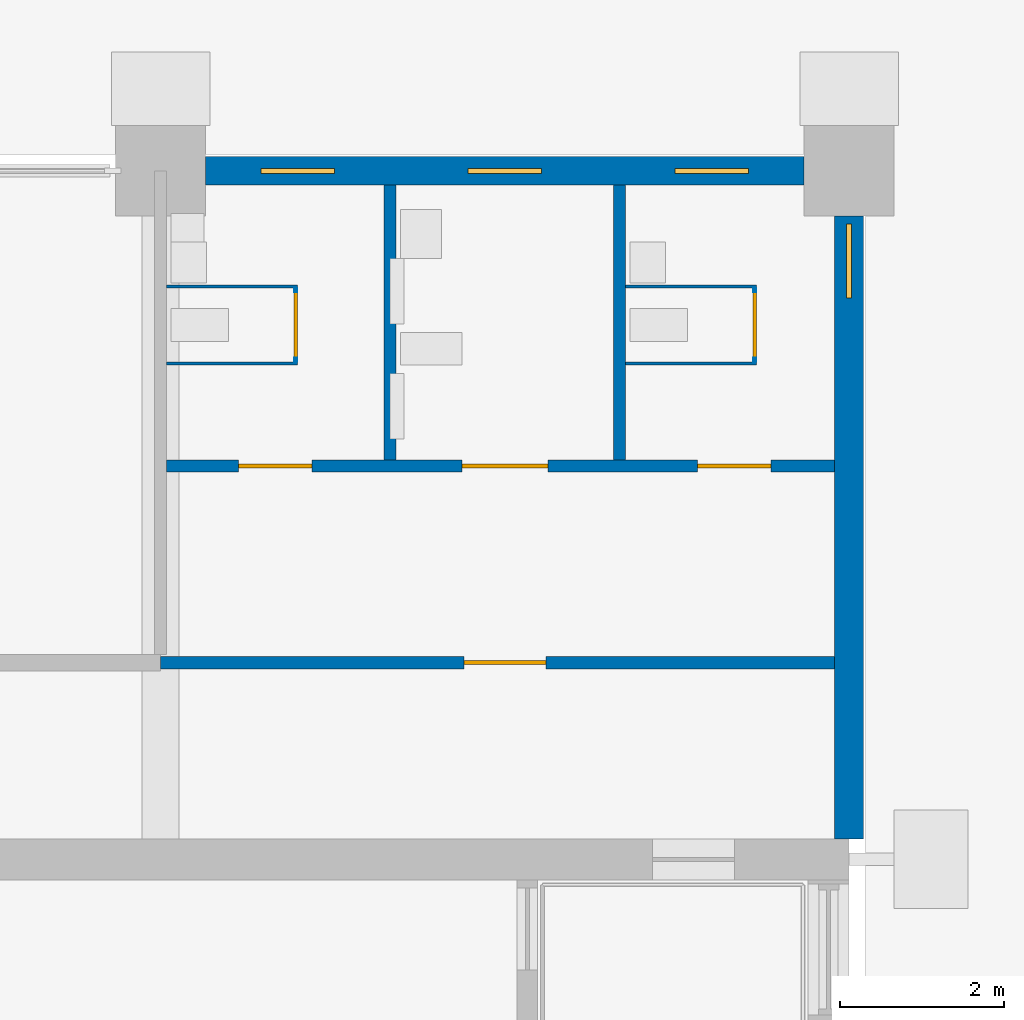
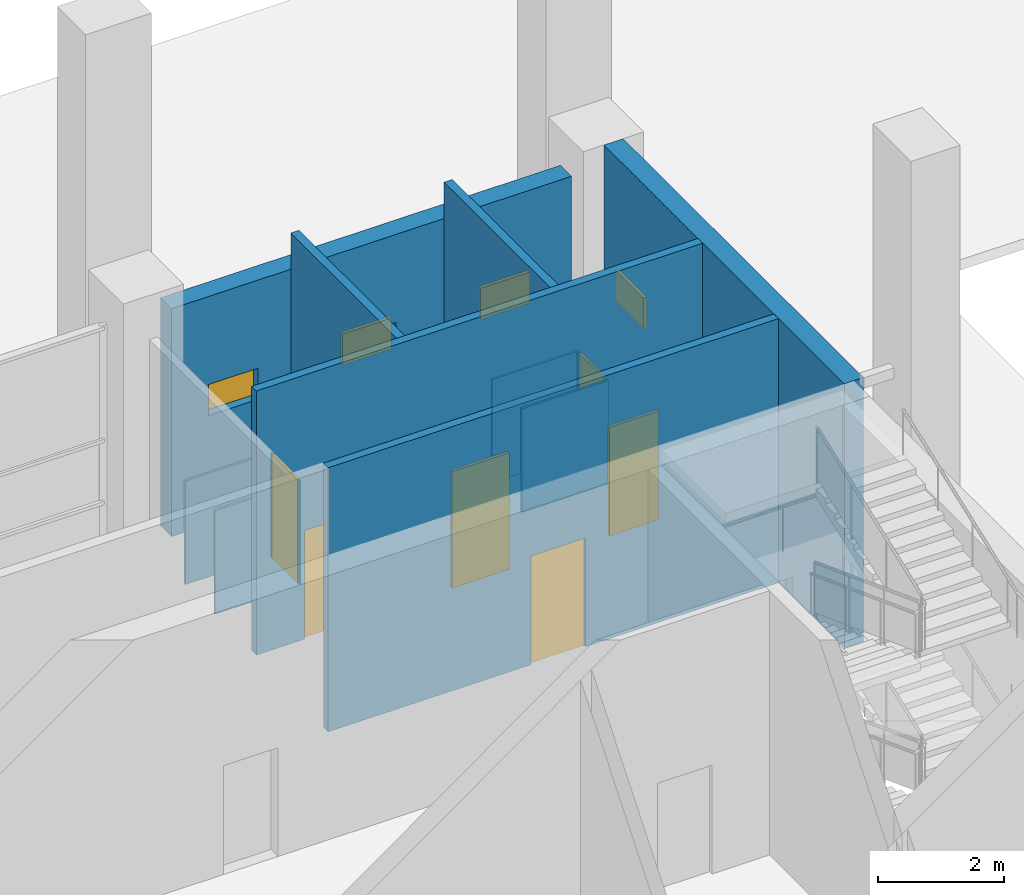
# One storey, part 40 of 74: 12 walls, 6 doors, 4 windows, 10 openings.
"""IFC4 building model written with IfcOpenShell, lengths in metres."""

from ifc_helpers import new_model, si_unit, direction, frame, frame_2d, origin, place, context, subcontext, project, spatial, rectangle, extrude, material, layer, layer_set, type_object, element, fill, save


model = new_model("IFC4")

# Units and contexts
model_context = context("Model", 3, precision=1e-05, world=origin(), true_north=direction((0.0, 1.0)))
body_context = subcontext(model_context, "Body", "Model", "MODEL_VIEW")
ifc_project = project(units=[si_unit("LENGTHUNIT", "METRE"), si_unit("AREAUNIT", "SQUARE_METRE"), si_unit("VOLUMEUNIT", "CUBIC_METRE"), si_unit("PLANEANGLEUNIT", "RADIAN"), si_unit("MASSUNIT", "GRAM", prefix="KILO")], contexts=[model_context])

# Site, building, storey
site_placement = place(None, origin())
site = spatial("IfcSite", under=ifc_project, at=site_placement, CompositionType="ELEMENT")
building_placement = place(site_placement, origin())
building = spatial("IfcBuilding", under=site, at=building_placement, Name="Rulbaag Community and Learning Centre", CompositionType="ELEMENT")
storey_placement = place(building_placement, origin())
storey = spatial("IfcBuildingStorey", under=building, at=storey_placement, Name="L00", CompositionType="ELEMENT", Elevation=0.0)

# Walls
ifc_material_1 = material(Name="High pressure laminate", Category="wood")
ifc_layer_1 = layer(ifc_material_1, 0.0400390625)
ifc_layer_set_1 = layer_set([ifc_layer_1], Name="CP-40")
wall_type_1 = type_object("IfcWallType", Name="CP-40", PredefinedType="PARTITIONING", material=ifc_layer_set_1)
for number, where, z_axis, x_axis, name in (
    (1, (159.675048828125, 115.25, 0.0), (0.0, 0.0, 1.0), (1.0, 0.0, 0.0), "Cubicle partition"),
    (2, (159.675048828125, 116.18994140625, 0.0), (0.0, 0.0, 1.0), (1.0, 0.0, 0.0), "Cubicle partition"),
):
    element("IfcWall", number, at=place(storey_placement, frame(where, z_axis=z_axis, x_axis=x_axis)), inside=storey, type_object=wall_type_1, Name=name, PredefinedType="PARTITIONING", context=body_context, shape_type="SweptSolid", body=[
        extrude(rectangle(XDim=1.594970703125, YDim=0.0400390625, at=frame_2d((0.79736328125, 0.0))), origin(), (0.0, 0.0, 1.0), 2.0),
    ])

# Wall, opening, door
wall_1_placement = place(storey_placement, frame((161.25, 115.27001953125, 0.0), z_axis=(0.0, 0.0, 1.0), x_axis=(0.0, 1.0, 0.0)))
wall_1 = element("IfcWall", 3, at=wall_1_placement, inside=storey, type_object=wall_type_1, Name="Cubicle partition", PredefinedType="PARTITIONING", context=body_context, shape_type="SweptSolid", body=[
    extrude(rectangle(XDim=0.89990234375, YDim=0.0400390625, at=frame_2d((0.449951171875, 0.0))), origin(), (0.0, 0.0, 1.0), 2.0),
])
opening_1_placement = place(wall_1_placement, frame((0.050048828125, 0.0, 0.0)))
opening_1 = element("IfcOpeningElement", 4, at=opening_1_placement, cuts=wall_1, Name="Opening L00-D178", PredefinedType="OPENING", context=body_context, shape_type="SweptSolid", body=[
    extrude(rectangle(XDim=0.800048828125, YDim=2.0, at=frame_2d((0.39990234375, 1.0))), frame((0.0, 0.030029296875, 0.0), z_axis=(0.0, -1.0, 0.0), x_axis=(1.0, 0.0, 0.0)), (0.0, 0.0, 1.0), 0.06005859375),
])
door_type_1 = type_object("IfcDoorType", Name="DC-80", OperationType="SINGLE_SWING_LEFT", PredefinedType="DOOR", material=ifc_material_1)
door_1_placement = place(opening_1_placement, origin())
door_1 = element("IfcDoor", 5, at=door_1_placement, inside=storey, type_object=door_type_1, Name="Cubicle door", OperationType="SINGLE_SWING_LEFT", OverallHeight=2.0, OverallWidth=0.800048828125, PredefinedType="DOOR", context=body_context, shape_type="SweptSolid", body=[
    extrude(rectangle(XDim=0.800048828125, YDim=2.0, at=frame_2d((0.39990234375, 1.0))), frame((0.0, 0.019775390625, 0.0), z_axis=(0.0, -1.0, 0.0), x_axis=(1.0, 0.0, 0.0)), (0.0, 0.0, 1.0), 0.03955078125),
])
fill(opening_1, door_1)

# Walls
for number, where, z_axis, x_axis, name in (
    (6, (165.27490234375, 115.25, 0.0), (0.0, 0.0, 1.0), (1.0, 0.0, 0.0), "Cubicle partition"),
    (7, (165.27490234375, 116.18994140625, 0.0), (0.0, 0.0, 1.0), (1.0, 0.0, 0.0), "Cubicle partition"),
):
    element("IfcWall", number, at=place(storey_placement, frame(where, z_axis=z_axis, x_axis=x_axis)), inside=storey, type_object=wall_type_1, Name=name, PredefinedType="PARTITIONING", context=body_context, shape_type="SweptSolid", body=[
        extrude(rectangle(XDim=1.59521484375, YDim=0.0400390625, at=frame_2d((0.797607421875, 0.0))), origin(), (0.0, 0.0, 1.0), 2.0),
    ])

# Wall, opening, door
wall_2_placement = place(storey_placement, frame((166.85009765625, 115.27001953125, 0.0), z_axis=(0.0, 0.0, 1.0), x_axis=(0.0, 1.0, 0.0)))
wall_2 = element("IfcWall", 8, at=wall_2_placement, inside=storey, type_object=wall_type_1, Name="Cubicle partition", PredefinedType="PARTITIONING", context=body_context, shape_type="SweptSolid", body=[
    extrude(rectangle(XDim=0.89990234375, YDim=0.0400390625, at=frame_2d((0.449951171875, 0.0))), origin(), (0.0, 0.0, 1.0), 2.0),
])
opening_2_placement = place(wall_2_placement, frame((0.050048828125, 0.0, 0.0)))
opening_2 = element("IfcOpeningElement", 9, at=opening_2_placement, cuts=wall_2, Name="Opening L00-D200", PredefinedType="OPENING", context=body_context, shape_type="SweptSolid", body=[
    extrude(rectangle(XDim=0.800048828125, YDim=2.0, at=frame_2d((0.39990234375, 1.0))), frame((0.0, 0.030029296875, 0.0), z_axis=(0.0, -1.0, 0.0), x_axis=(1.0, 0.0, 0.0)), (0.0, 0.0, 1.0), 0.06005859375),
])
door_2_placement = place(opening_2_placement, origin())
door_2 = element("IfcDoor", 10, at=door_2_placement, inside=storey, type_object=door_type_1, Name="Cubicle door", OperationType="SINGLE_SWING_LEFT", OverallHeight=2.0, OverallWidth=0.800048828125, PredefinedType="DOOR", context=body_context, shape_type="SweptSolid", body=[
    extrude(rectangle(XDim=0.800048828125, YDim=2.0, at=frame_2d((0.39990234375, 1.0))), frame((0.0, 0.019775390625, 0.0), z_axis=(0.0, -1.0, 0.0), x_axis=(1.0, 0.0, 0.0)), (0.0, 0.0, 1.0), 0.03955078125),
])
fill(opening_2, door_2)

# Wall, openings, windows
ifc_material_2 = material(Name="Concrete M40", Category="concrete")
ifc_layer_2 = layer(ifc_material_2, 0.35009765625)
ifc_layer_set_2 = layer_set([ifc_layer_2], Name="EW-CONC350-120")
wall_type_2 = type_object("IfcWallType", Name="EW-CONC350-120", PredefinedType="STANDARD", material=ifc_layer_set_2)
wall_3_placement = place(storey_placement, frame((160.14990234375, 117.60009765625, 0.0), z_axis=(0.0, 0.0, 1.0), x_axis=(1.0, 0.0, 0.0)))
wall_3 = element("IfcWall", 11, at=wall_3_placement, inside=storey, type_object=wall_type_2, Name="Board-marked concrete cladding wall BN", PredefinedType="STANDARD", context=body_context, shape_type="SweptSolid", body=[
    extrude(rectangle(XDim=7.300048828125, YDim=0.35009765625, at=frame_2d((3.64990234375, 0.0))), origin(), (0.0, 0.0, 1.0), 4.39990234375),
])
opening_3_placement = place(wall_3_placement, frame((0.675048828125, 0.0, 2.10009765625)))
opening_3 = element("IfcOpeningElement", 12, at=opening_3_placement, cuts=wall_3, Name="Opening WN5", PredefinedType="OPENING", context=body_context, shape_type="SweptSolid", body=[
    extrude(rectangle(XDim=0.89990234375, YDim=0.60009765625, at=frame_2d((0.449951171875, 0.300048828125))), frame((0.0, 0.18505859375, 0.0), z_axis=(0.0, -1.0, 0.0), x_axis=(1.0, 0.0, 0.0)), (0.0, 0.0, 1.0), 0.3701171875),
])
opening_4_placement = place(wall_3_placement, frame((3.199951171875, 0.0, 2.10009765625)))
opening_4 = element("IfcOpeningElement", 13, at=opening_4_placement, cuts=wall_3, Name="Opening WN5", PredefinedType="OPENING", context=body_context, shape_type="SweptSolid", body=[
    extrude(rectangle(XDim=0.89990234375, YDim=0.60009765625, at=frame_2d((0.449951171875, 0.300048828125))), frame((0.0, 0.18505859375, 0.0), z_axis=(0.0, -1.0, 0.0), x_axis=(1.0, 0.0, 0.0)), (0.0, 0.0, 1.0), 0.3701171875),
])
opening_5_placement = place(wall_3_placement, frame((5.72509765625, 0.0, 2.10009765625)))
opening_5 = element("IfcOpeningElement", 14, at=opening_5_placement, cuts=wall_3, Name="Opening WN5", PredefinedType="OPENING", context=body_context, shape_type="SweptSolid", body=[
    extrude(rectangle(XDim=0.89990234375, YDim=0.60009765625, at=frame_2d((0.449951171875, 0.300048828125))), frame((0.0, 0.18505859375, 0.0), z_axis=(0.0, -1.0, 0.0), x_axis=(1.0, 0.0, 0.0)), (0.0, 0.0, 1.0), 0.3701171875),
])
ifc_material_3 = material(Name="Aluminium", Category="aluminium")
window_type = type_object("IfcWindowType", Name="WK-09", PartitioningType="SINGLE_PANEL", PredefinedType="WINDOW", material=ifc_material_3)
window_1_placement = place(opening_3_placement, origin())
window_1 = element("IfcWindow", 15, at=window_1_placement, inside=storey, type_object=window_type, Name="Window WN5", OverallHeight=0.60009765625, OverallWidth=0.89990234375, PartitioningType="SINGLE_PANEL", PredefinedType="WINDOW", context=body_context, shape_type="SweptSolid", body=[
    extrude(rectangle(XDim=0.89990234375, YDim=0.60009765625, at=frame_2d((0.449951171875, 0.300048828125))), frame((0.0, 0.030029296875, 0.0), z_axis=(0.0, -1.0, 0.0), x_axis=(1.0, 0.0, 0.0)), (0.0, 0.0, 1.0), 0.06005859375),
])
fill(opening_3, window_1)
window_2_placement = place(opening_4_placement, origin())
window_2 = element("IfcWindow", 16, at=window_2_placement, inside=storey, type_object=window_type, Name="Window WN5", OverallHeight=0.60009765625, OverallWidth=0.89990234375, PartitioningType="SINGLE_PANEL", PredefinedType="WINDOW", context=body_context, shape_type="SweptSolid", body=[
    extrude(rectangle(XDim=0.89990234375, YDim=0.60009765625, at=frame_2d((0.449951171875, 0.300048828125))), frame((0.0, 0.030029296875, 0.0), z_axis=(0.0, -1.0, 0.0), x_axis=(1.0, 0.0, 0.0)), (0.0, 0.0, 1.0), 0.06005859375),
])
fill(opening_4, window_2)
window_3_placement = place(opening_5_placement, origin())
window_3 = element("IfcWindow", 17, at=window_3_placement, inside=storey, type_object=window_type, Name="Window WN5", OverallHeight=0.60009765625, OverallWidth=0.89990234375, PartitioningType="SINGLE_PANEL", PredefinedType="WINDOW", context=body_context, shape_type="SweptSolid", body=[
    extrude(rectangle(XDim=0.89990234375, YDim=0.60009765625, at=frame_2d((0.449951171875, 0.300048828125))), frame((0.0, 0.030029296875, 0.0), z_axis=(0.0, -1.0, 0.0), x_axis=(1.0, 0.0, 0.0)), (0.0, 0.0, 1.0), 0.06005859375),
])
fill(opening_5, window_3)

# Wall, opening, window
wall_4_placement = place(storey_placement, frame((168.0, 109.449951171875, 0.0), z_axis=(0.0, 0.0, 1.0), x_axis=(0.0, 1.0, 0.0)))
wall_4 = element("IfcWall", 18, at=wall_4_placement, inside=storey, type_object=wall_type_2, Name="Board-marked concrete cladding wall BE", PredefinedType="STANDARD", context=body_context, shape_type="SweptSolid", body=[
    extrude(rectangle(XDim=7.60009765625, YDim=0.35009765625, at=frame_2d((3.800048828125, 0.0))), origin(), (0.0, 0.0, 1.0), 5.10009765625),
])
opening_6_placement = place(wall_4_placement, frame((6.60009765625, 0.0, 2.10009765625)))
opening_6 = element("IfcOpeningElement", 19, at=opening_6_placement, cuts=wall_4, Name="Opening WN5", PredefinedType="OPENING", context=body_context, shape_type="SweptSolid", body=[
    extrude(rectangle(XDim=0.89990234375, YDim=0.60009765625, at=frame_2d((0.449951171875, 0.300048828125))), frame((0.0, 0.18505859375, 0.0), z_axis=(0.0, -1.0, 0.0), x_axis=(1.0, 0.0, 0.0)), (0.0, 0.0, 1.0), 0.3701171875),
])
window_4_placement = place(opening_6_placement, origin())
window_4 = element("IfcWindow", 20, at=window_4_placement, inside=storey, type_object=window_type, Name="Window WN5", OverallHeight=0.60009765625, OverallWidth=0.89990234375, PartitioningType="SINGLE_PANEL", PredefinedType="WINDOW", context=body_context, shape_type="SweptSolid", body=[
    extrude(rectangle(XDim=0.89990234375, YDim=0.60009765625, at=frame_2d((0.449951171875, 0.300048828125))), frame((0.0, 0.030029296875, 0.0), z_axis=(0.0, -1.0, 0.0), x_axis=(1.0, 0.0, 0.0)), (0.0, 0.0, 1.0), 0.06005859375),
])
fill(opening_6, window_4)

# Wall, opening, door
ifc_material_4 = material(Name="Concrete blockwork", Category="masonry")
ifc_layer_3 = layer(ifc_material_4, 0.14990234375)
ifc_layer_set_3 = layer_set([ifc_layer_3], Name="IP-150 PARTITION 150")
wall_type_3 = type_object("IfcWallType", Name="IP-150 PARTITION 150", PredefinedType="PARTITIONING", material=ifc_layer_set_3)
wall_5_placement = place(storey_placement, frame((159.60009765625, 111.60009765625, 0.0), z_axis=(0.0, 0.0, 1.0), x_axis=(1.0, 0.0, 0.0)))
wall_5 = element("IfcWall", 21, at=wall_5_placement, inside=storey, type_object=wall_type_3, Name="Partition L00 54", PredefinedType="PARTITIONING", context=body_context, shape_type="SweptSolid", body=[
    extrude(rectangle(XDim=8.224853515625, YDim=0.14990234375, at=frame_2d((4.1123046875, 0.0))), origin(), (0.0, 0.0, 1.0), 5.10009765625),
])
opening_7_placement = place(wall_5_placement, frame((3.699951171875, 0.0, 0.0)))
opening_7 = element("IfcOpeningElement", 22, at=opening_7_placement, cuts=wall_5, Name="Opening L00-D190", PredefinedType="OPENING", context=body_context, shape_type="SweptSolid", body=[
    extrude(rectangle(XDim=1.0, YDim=2.10009765625, at=frame_2d((0.5, 1.050048828125))), frame((0.0, 0.0849609375, 0.0), z_axis=(0.0, -1.0, 0.0), x_axis=(1.0, 0.0, 0.0)), (0.0, 0.0, 1.0), 0.169921875),
])
ifc_material_5 = material(Name="Timber", Category="wood")
door_type_2 = type_object("IfcDoorType", Name="D-1000 DOOR 1000 x 2100", OperationType="SINGLE_SWING_LEFT", PredefinedType="DOOR", material=ifc_material_5)
door_3_placement = place(opening_7_placement, origin())
door_3 = element("IfcDoor", 23, at=door_3_placement, inside=storey, type_object=door_type_2, Name="Door L00-D190", OperationType="SINGLE_SWING_RIGHT", OverallHeight=2.10009765625, OverallWidth=1.0, PredefinedType="DOOR", context=body_context, shape_type="SweptSolid", body=[
    extrude(rectangle(XDim=1.0, YDim=2.10009765625, at=frame_2d((0.5, 1.050048828125))), frame((0.0, 0.02490234375, 0.0), z_axis=(0.0, -1.0, 0.0), x_axis=(1.0, 0.0, 0.0)), (0.0, 0.0, 1.0), 0.050048828125),
])
fill(opening_7, door_3)

# Wall, openings, doors
wall_6_placement = place(storey_placement, frame((159.675048828125, 114.0, 0.0), z_axis=(0.0, 0.0, 1.0), x_axis=(1.0, 0.0, 0.0)))
wall_6 = element("IfcWall", 24, at=wall_6_placement, inside=storey, type_object=wall_type_3, Name="Partition L00 55", PredefinedType="PARTITIONING", context=body_context, shape_type="SweptSolid", body=[
    extrude(rectangle(XDim=8.14990234375, YDim=0.14990234375, at=frame_2d((4.074951171875, 0.0))), origin(), (0.0, 0.0, 1.0), 5.10009765625),
])
opening_8_placement = place(wall_6_placement, frame((0.875, 0.0, 0.0)))
opening_8 = element("IfcOpeningElement", 25, at=opening_8_placement, cuts=wall_6, Name="Opening L00-D176", PredefinedType="OPENING", context=body_context, shape_type="SweptSolid", body=[
    extrude(rectangle(XDim=0.89990234375, YDim=2.10009765625, at=frame_2d((0.449951171875, 1.050048828125))), frame((0.0, 0.0849609375, 0.0), z_axis=(0.0, -1.0, 0.0), x_axis=(1.0, 0.0, 0.0)), (0.0, 0.0, 1.0), 0.169921875),
])
opening_9_placement = place(wall_6_placement, frame((3.60009765625, 0.0, 0.0)))
opening_9 = element("IfcOpeningElement", 26, at=opening_9_placement, cuts=wall_6, Name="Opening L00-D191", PredefinedType="OPENING", context=body_context, shape_type="SweptSolid", body=[
    extrude(rectangle(XDim=1.050048828125, YDim=2.25, at=frame_2d((0.52490234375, 1.125))), frame((0.0, 0.0849609375, 0.0), z_axis=(0.0, -1.0, 0.0), x_axis=(1.0, 0.0, 0.0)), (0.0, 0.0, 1.0), 0.169921875),
])
opening_10_placement = place(wall_6_placement, frame((6.47509765625, 0.0, 0.0)))
opening_10 = element("IfcOpeningElement", 27, at=opening_10_placement, cuts=wall_6, Name="Opening L00-D199", PredefinedType="OPENING", context=body_context, shape_type="SweptSolid", body=[
    extrude(rectangle(XDim=0.89990234375, YDim=2.10009765625, at=frame_2d((0.449951171875, 1.050048828125))), frame((0.0, 0.0849609375, 0.0), z_axis=(0.0, -1.0, 0.0), x_axis=(1.0, 0.0, 0.0)), (0.0, 0.0, 1.0), 0.169921875),
])
door_type_3 = type_object("IfcDoorType", Name="D-1050 ACCESSIBLE TOILET DOOR 1050 x 2250", OperationType="SINGLE_SWING_LEFT", PredefinedType="DOOR", material=ifc_material_5)
door_4_placement = place(opening_9_placement, origin())
door_4 = element("IfcDoor", 28, at=door_4_placement, inside=storey, type_object=door_type_3, Name="Door L00-D191", OperationType="SINGLE_SWING_LEFT", OverallHeight=2.25, OverallWidth=1.050048828125, PredefinedType="DOOR", context=body_context, shape_type="SweptSolid", body=[
    extrude(rectangle(XDim=1.050048828125, YDim=2.25, at=frame_2d((0.52490234375, 1.125))), frame((0.0, 0.02490234375, 0.0), z_axis=(0.0, -1.0, 0.0), x_axis=(1.0, 0.0, 0.0)), (0.0, 0.0, 1.0), 0.050048828125),
])
fill(opening_9, door_4)
door_type_4 = type_object("IfcDoorType", Name="DW-900 TOILET DOOR 900 x 2100", OperationType="SINGLE_SWING_LEFT", PredefinedType="DOOR", material=ifc_material_5)
door_5_placement = place(opening_8_placement, origin())
door_5 = element("IfcDoor", 29, at=door_5_placement, inside=storey, type_object=door_type_4, Name="Door L00-D176", OperationType="SINGLE_SWING_RIGHT", OverallHeight=2.10009765625, OverallWidth=0.89990234375, PredefinedType="DOOR", context=body_context, shape_type="SweptSolid", body=[
    extrude(rectangle(XDim=0.89990234375, YDim=2.10009765625, at=frame_2d((0.449951171875, 1.050048828125))), frame((0.0, 0.02490234375, 0.0), z_axis=(0.0, -1.0, 0.0), x_axis=(1.0, 0.0, 0.0)), (0.0, 0.0, 1.0), 0.050048828125),
])
fill(opening_8, door_5)
door_6_placement = place(opening_10_placement, origin())
door_6 = element("IfcDoor", 30, at=door_6_placement, inside=storey, type_object=door_type_4, Name="Door L00-D199", OperationType="SINGLE_SWING_LEFT", OverallHeight=2.10009765625, OverallWidth=0.89990234375, PredefinedType="DOOR", context=body_context, shape_type="SweptSolid", body=[
    extrude(rectangle(XDim=0.89990234375, YDim=2.10009765625, at=frame_2d((0.449951171875, 1.050048828125))), frame((0.0, 0.02490234375, 0.0), z_axis=(0.0, -1.0, 0.0), x_axis=(1.0, 0.0, 0.0)), (0.0, 0.0, 1.0), 0.050048828125),
])
fill(opening_10, door_6)

# Walls
for number, where, z_axis, x_axis, name in (
    (31, (162.39990234375, 114.074951171875, 0.0), (0.0, 0.0, 1.0), (0.0, 1.0, 0.0), "Partition L00 111"),
    (32, (165.199951171875, 114.074951171875, 0.0), (0.0, 0.0, 1.0), (0.0, 1.0, 0.0), "Partition L00 116"),
):
    element("IfcWall", number, at=place(storey_placement, frame(where, z_axis=z_axis, x_axis=x_axis)), inside=storey, type_object=wall_type_3, Name=name, PredefinedType="PARTITIONING", context=body_context, shape_type="SweptSolid", body=[
        extrude(rectangle(XDim=3.35009765625, YDim=0.14990234375, at=frame_2d((1.675048828125, 0.0))), origin(), (0.0, 0.0, 1.0), 5.10009765625),
    ])

save(model, "model.ifc")
